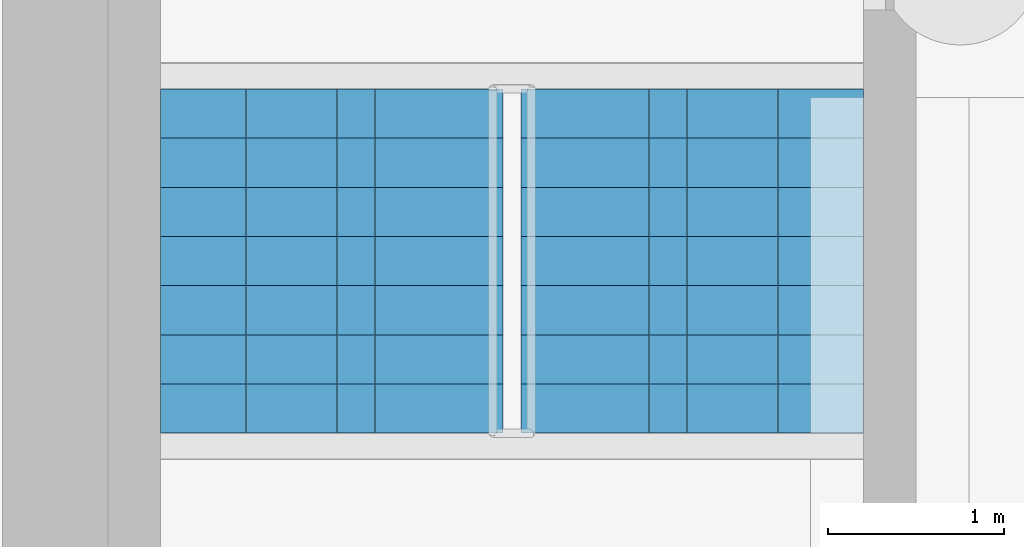
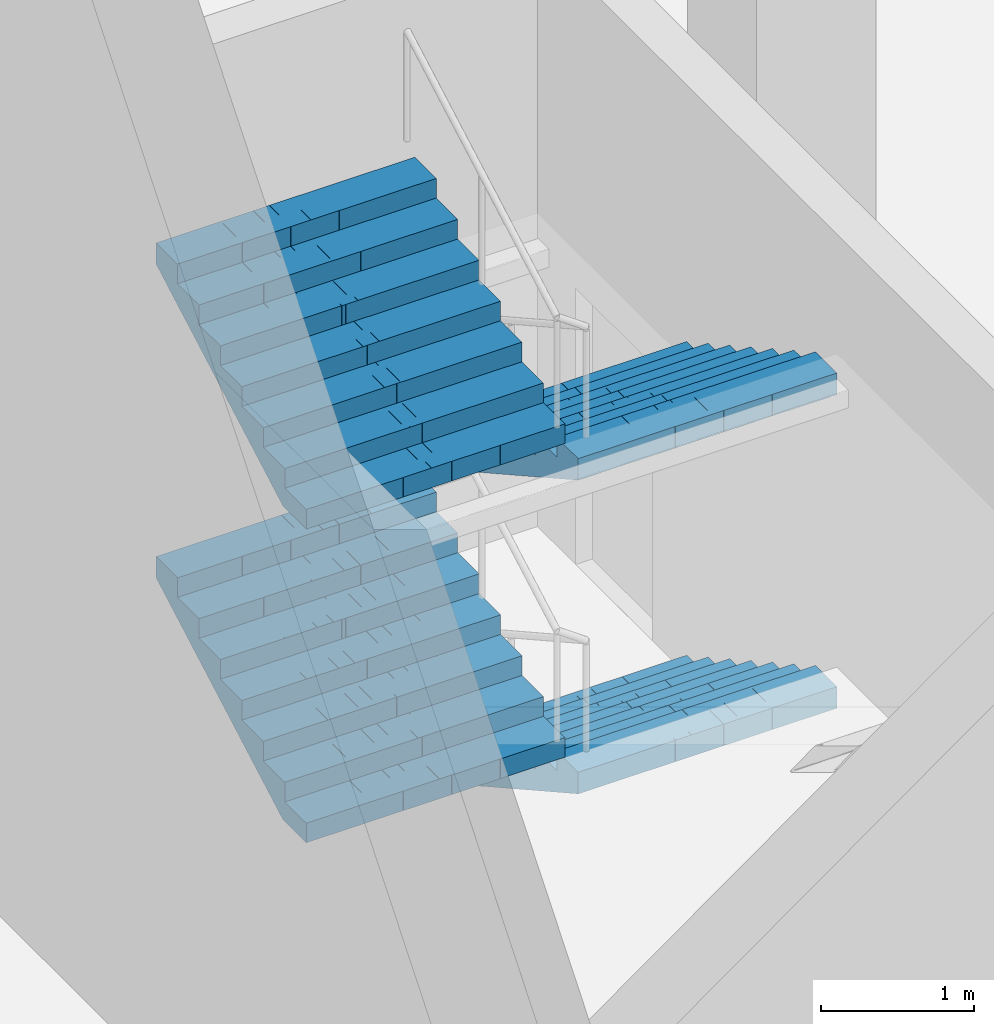
# One storey, part 20 of 31: 4 stair flights, 1 element without a shape of its own.
"""IFC4 building model written with IfcOpenShell, lengths in metres."""

from ifc_helpers import new_model, si_unit, direction, frame, origin, place, context, subcontext, project, spatial, polyline, outline, extrude, material, type_object, element, aggregate, save


model = new_model("IFC4")

# Units and contexts
model_context = context("Model", 3, precision=1e-05, world=origin(), true_north=direction((0.0, 1.0)))
body_context = subcontext(model_context, "Body", "Model", "MODEL_VIEW")
ifc_project = project(units=[si_unit("LENGTHUNIT", "METRE"), si_unit("AREAUNIT", "SQUARE_METRE"), si_unit("VOLUMEUNIT", "CUBIC_METRE"), si_unit("PLANEANGLEUNIT", "RADIAN"), si_unit("MASSUNIT", "GRAM", prefix="KILO")], contexts=[model_context])

# Site, building, storey
site_placement = place(None, origin())
site = spatial("IfcSite", under=ifc_project, at=site_placement, CompositionType="ELEMENT")
building_placement = place(site_placement, origin())
building = spatial("IfcBuilding", under=site, at=building_placement, Name="Mizan Broadcast Tower", CompositionType="ELEMENT")
storey_placement = place(building_placement, frame((0.0, 0.0, -10.0)))
storey = spatial("IfcBuildingStorey", under=building, at=storey_placement, Name="B2", CompositionType="ELEMENT", Elevation=-10.0)

# Stair, stair flights
ifc_material_1 = material(Name="Concrete C40/50", Category="concrete")
stair_type = type_object("IfcStairType", Name="EXIT STAIR", PredefinedType="HALF_TURN_STAIR", material=ifc_material_1)
stair_placement = place(storey_placement, origin())
stair = element("IfcStair", 1, at=stair_placement, inside=storey, type_object=stair_type, Name="Stair F B2", PredefinedType="HALF_TURN_STAIR")
ifc_material_2 = material(Name="Concrete C40/50", Category="concrete")
stair_flight_type = type_object("IfcStairFlightType", Name="EXIT STAIR FLIGHT", PredefinedType="STRAIGHT", material=ifc_material_2)
stair_flight_1_placement = place(storey_placement, frame((-44.875, 39.949951171875, 0.0), z_axis=(0.0, 0.0, 1.0), x_axis=(0.0, -1.0, 0.0)))
stair_flight_1 = element("IfcStairFlight", 2, at=stair_flight_1_placement, type_object=stair_flight_type, Name="F flight 1", NumberOfRisers=8, NumberOfTreads=7, PredefinedType="STRAIGHT", RiserHeight=0.15625, TreadLength=0.28, context=body_context, shape_type="SweptSolid", body=[
    extrude(outline(polyline([(0.0, 0.0), (0.0, 0.15625), (0.280029296875, 0.15625), (0.280029296875, 0.3125), (0.56005859375, 0.3125), (0.56005859375, 0.46875), (0.840087890625, 0.46875), (0.840087890625, 0.625), (1.1201171875, 0.625), (1.1201171875, 0.78125), (1.39990234375, 0.78125), (1.39990234375, 0.9375), (1.679931640625, 0.9375), (1.679931640625, 1.09375), (1.9599609375, 1.09375), (1.9599609375, 1.25), (1.9599609375, 0.922119140625), (0.3076171875, 0.0), (0.0, 0.0)])), frame((0.0, 0.97509765625, 0.0), z_axis=(0.0, -1.0, 0.0), x_axis=(1.0, 0.0, 0.0)), (0.0, 0.0, 1.0), 0.4873046875),
    extrude(outline(polyline([(0.0, 0.0), (0.0, 0.15625), (0.280029296875, 0.15625), (0.280029296875, 0.3125), (0.56005859375, 0.3125), (0.56005859375, 0.46875), (0.840087890625, 0.46875), (0.840087890625, 0.625), (1.1201171875, 0.625), (1.1201171875, 0.78125), (1.39990234375, 0.78125), (1.39990234375, 0.9375), (1.679931640625, 0.9375), (1.679931640625, 1.09375), (1.9599609375, 1.09375), (1.9599609375, 1.25), (1.9599609375, 0.922119140625), (0.3076171875, 0.0), (0.0, 0.0)])), frame((0.0, 0.4873046875, 0.0), z_axis=(0.0, -1.0, 0.0), x_axis=(1.0, 0.0, 0.0)), (0.0, 0.0, 1.0), 0.2431640625),
    extrude(outline(polyline([(0.0, 0.0), (0.0, 0.15625), (0.280029296875, 0.15625), (0.280029296875, 0.3125), (0.56005859375, 0.3125), (0.56005859375, 0.46875), (0.840087890625, 0.46875), (0.840087890625, 0.625), (1.1201171875, 0.625), (1.1201171875, 0.78125), (1.39990234375, 0.78125), (1.39990234375, 0.9375), (1.679931640625, 0.9375), (1.679931640625, 1.09375), (1.9599609375, 1.09375), (1.9599609375, 1.25), (1.9599609375, 0.922119140625), (0.3076171875, 0.0), (0.0, 0.0)])), frame((0.0, 0.24365234375, 0.0), z_axis=(0.0, -1.0, 0.0), x_axis=(1.0, 0.0, 0.0)), (0.0, 0.0, 1.0), 0.121337890625),
    extrude(outline(polyline([(0.0, 0.0), (0.0, 0.15625), (0.280029296875, 0.15625), (0.280029296875, 0.3125), (0.56005859375, 0.3125), (0.56005859375, 0.46875), (0.840087890625, 0.46875), (0.840087890625, 0.625), (1.1201171875, 0.625), (1.1201171875, 0.78125), (1.39990234375, 0.78125), (1.39990234375, 0.9375), (1.679931640625, 0.9375), (1.679931640625, 1.09375), (1.9599609375, 1.09375), (1.9599609375, 1.25), (1.9599609375, 0.922119140625), (0.3076171875, 0.0), (0.0, 0.0)])), frame((0.0, 0.121826171875, 0.0), z_axis=(0.0, -1.0, 0.0), x_axis=(1.0, 0.0, 0.0)), (0.0, 0.0, 1.0), 0.060546875),
    extrude(outline(polyline([(0.0, 0.0), (0.0, 0.15625), (0.280029296875, 0.15625), (0.280029296875, 0.3125), (0.56005859375, 0.3125), (0.56005859375, 0.46875), (0.840087890625, 0.46875), (0.840087890625, 0.625), (1.1201171875, 0.625), (1.1201171875, 0.78125), (1.39990234375, 0.78125), (1.39990234375, 0.9375), (1.679931640625, 0.9375), (1.679931640625, 1.09375), (1.9599609375, 1.09375), (1.9599609375, 1.25), (1.9599609375, 0.922119140625), (0.3076171875, 0.0), (0.0, 0.0)])), frame((0.0, 0.060791015625, 0.0), z_axis=(0.0, -1.0, 0.0), x_axis=(1.0, 0.0, 0.0)), (0.0, 0.0, 1.0), 0.030029296875),
    extrude(outline(polyline([(0.0, 0.0), (0.0, 0.15625), (0.280029296875, 0.15625), (0.280029296875, 0.3125), (0.56005859375, 0.3125), (0.56005859375, 0.46875), (0.840087890625, 0.46875), (0.840087890625, 0.625), (1.1201171875, 0.625), (1.1201171875, 0.78125), (1.39990234375, 0.78125), (1.39990234375, 0.9375), (1.679931640625, 0.9375), (1.679931640625, 1.09375), (1.9599609375, 1.09375), (1.9599609375, 1.25), (1.9599609375, 0.922119140625), (0.3076171875, 0.0), (0.0, 0.0)])), frame((0.0, 0.0302734375, 0.0), z_axis=(0.0, -1.0, 0.0), x_axis=(1.0, 0.0, 0.0)), (0.0, 0.0, 1.0), 0.060302734375),
    extrude(outline(polyline([(0.0, 0.0), (0.0, 0.15625), (0.280029296875, 0.15625), (0.280029296875, 0.3125), (0.56005859375, 0.3125), (0.56005859375, 0.46875), (0.840087890625, 0.46875), (0.840087890625, 0.625), (1.1201171875, 0.625), (1.1201171875, 0.78125), (1.39990234375, 0.78125), (1.39990234375, 0.9375), (1.679931640625, 0.9375), (1.679931640625, 1.09375), (1.9599609375, 1.09375), (1.9599609375, 1.25), (1.9599609375, 0.922119140625), (0.3076171875, 0.0), (0.0, 0.0)])), frame((0.0, -0.030517578125, 0.0), z_axis=(0.0, -1.0, 0.0), x_axis=(1.0, 0.0, 0.0)), (0.0, 0.0, 1.0), 0.030029296875),
    extrude(outline(polyline([(0.0, 0.0), (0.0, 0.15625), (0.280029296875, 0.15625), (0.280029296875, 0.3125), (0.56005859375, 0.3125), (0.56005859375, 0.46875), (0.840087890625, 0.46875), (0.840087890625, 0.625), (1.1201171875, 0.625), (1.1201171875, 0.78125), (1.39990234375, 0.78125), (1.39990234375, 0.9375), (1.679931640625, 0.9375), (1.679931640625, 1.09375), (1.9599609375, 1.09375), (1.9599609375, 1.25), (1.9599609375, 0.922119140625), (0.3076171875, 0.0), (0.0, 0.0)])), frame((0.0, -0.06103515625, 0.0), z_axis=(0.0, -1.0, 0.0), x_axis=(1.0, 0.0, 0.0)), (0.0, 0.0, 1.0), 0.060546875),
    extrude(outline(polyline([(0.0, 0.0), (0.0, 0.15625), (0.280029296875, 0.15625), (0.280029296875, 0.3125), (0.56005859375, 0.3125), (0.56005859375, 0.46875), (0.840087890625, 0.46875), (0.840087890625, 0.625), (1.1201171875, 0.625), (1.1201171875, 0.78125), (1.39990234375, 0.78125), (1.39990234375, 0.9375), (1.679931640625, 0.9375), (1.679931640625, 1.09375), (1.9599609375, 1.09375), (1.9599609375, 1.25), (1.9599609375, 0.922119140625), (0.3076171875, 0.0), (0.0, 0.0)])), frame((0.0, -0.1220703125, 0.0), z_axis=(0.0, -1.0, 0.0), x_axis=(1.0, 0.0, 0.0)), (0.0, 0.0, 1.0), 0.121337890625),
    extrude(outline(polyline([(0.0, 0.0), (0.0, 0.15625), (0.280029296875, 0.15625), (0.280029296875, 0.3125), (0.56005859375, 0.3125), (0.56005859375, 0.46875), (0.840087890625, 0.46875), (0.840087890625, 0.625), (1.1201171875, 0.625), (1.1201171875, 0.78125), (1.39990234375, 0.78125), (1.39990234375, 0.9375), (1.679931640625, 0.9375), (1.679931640625, 1.09375), (1.9599609375, 1.09375), (1.9599609375, 1.25), (1.9599609375, 0.922119140625), (0.3076171875, 0.0), (0.0, 0.0)])), frame((0.0, -0.243896484375, 0.0), z_axis=(0.0, -1.0, 0.0), x_axis=(1.0, 0.0, 0.0)), (0.0, 0.0, 1.0), 0.2431640625),
    extrude(outline(polyline([(0.0, 0.0), (0.0, 0.15625), (0.280029296875, 0.15625), (0.280029296875, 0.3125), (0.56005859375, 0.3125), (0.56005859375, 0.46875), (0.840087890625, 0.46875), (0.840087890625, 0.625), (1.1201171875, 0.625), (1.1201171875, 0.78125), (1.39990234375, 0.78125), (1.39990234375, 0.9375), (1.679931640625, 0.9375), (1.679931640625, 1.09375), (1.9599609375, 1.09375), (1.9599609375, 1.25), (1.9599609375, 0.922119140625), (0.3076171875, 0.0), (0.0, 0.0)])), frame((0.0, -0.487548828125, 0.0), z_axis=(0.0, -1.0, 0.0), x_axis=(1.0, 0.0, 0.0)), (0.0, 0.0, 1.0), 0.4873046875),
])
stair_flight_2_placement = place(storey_placement, frame((-46.925048828125, 37.989990234375, 1.25), z_axis=(0.0, 0.0, 1.0), x_axis=(0.0, 1.0, 0.0)))
stair_flight_2 = element("IfcStairFlight", 3, at=stair_flight_2_placement, type_object=stair_flight_type, Name="F flight 2", NumberOfRisers=8, NumberOfTreads=7, PredefinedType="STRAIGHT", RiserHeight=0.15625, TreadLength=0.28, context=body_context, shape_type="SweptSolid", body=[
    extrude(outline(polyline([(0.0, 0.0), (0.0, 0.15625), (0.280029296875, 0.15625), (0.280029296875, 0.3125), (0.56005859375, 0.3125), (0.56005859375, 0.46875), (0.840087890625, 0.46875), (0.840087890625, 0.625), (1.1201171875, 0.625), (1.1201171875, 0.78125), (1.39990234375, 0.78125), (1.39990234375, 0.9375), (1.679931640625, 0.9375), (1.679931640625, 1.09375), (1.9599609375, 1.09375), (1.9599609375, 1.25), (1.9599609375, 0.922119140625), (0.3076171875, 0.0), (0.0, 0.0)])), frame((0.0, 0.97509765625, 0.0), z_axis=(0.0, -1.0, 0.0), x_axis=(1.0, 0.0, 0.0)), (0.0, 0.0, 1.0), 0.4873046875),
    extrude(outline(polyline([(0.0, 0.0), (0.0, 0.15625), (0.280029296875, 0.15625), (0.280029296875, 0.3125), (0.56005859375, 0.3125), (0.56005859375, 0.46875), (0.840087890625, 0.46875), (0.840087890625, 0.625), (1.1201171875, 0.625), (1.1201171875, 0.78125), (1.39990234375, 0.78125), (1.39990234375, 0.9375), (1.679931640625, 0.9375), (1.679931640625, 1.09375), (1.9599609375, 1.09375), (1.9599609375, 1.25), (1.9599609375, 0.922119140625), (0.3076171875, 0.0), (0.0, 0.0)])), frame((0.0, 0.4873046875, 0.0), z_axis=(0.0, -1.0, 0.0), x_axis=(1.0, 0.0, 0.0)), (0.0, 0.0, 1.0), 0.2431640625),
    extrude(outline(polyline([(0.0, 0.0), (0.0, 0.15625), (0.280029296875, 0.15625), (0.280029296875, 0.3125), (0.56005859375, 0.3125), (0.56005859375, 0.46875), (0.840087890625, 0.46875), (0.840087890625, 0.625), (1.1201171875, 0.625), (1.1201171875, 0.78125), (1.39990234375, 0.78125), (1.39990234375, 0.9375), (1.679931640625, 0.9375), (1.679931640625, 1.09375), (1.9599609375, 1.09375), (1.9599609375, 1.25), (1.9599609375, 0.922119140625), (0.3076171875, 0.0), (0.0, 0.0)])), frame((0.0, 0.24365234375, 0.0), z_axis=(0.0, -1.0, 0.0), x_axis=(1.0, 0.0, 0.0)), (0.0, 0.0, 1.0), 0.121337890625),
    extrude(outline(polyline([(0.0, 0.0), (0.0, 0.15625), (0.280029296875, 0.15625), (0.280029296875, 0.3125), (0.56005859375, 0.3125), (0.56005859375, 0.46875), (0.840087890625, 0.46875), (0.840087890625, 0.625), (1.1201171875, 0.625), (1.1201171875, 0.78125), (1.39990234375, 0.78125), (1.39990234375, 0.9375), (1.679931640625, 0.9375), (1.679931640625, 1.09375), (1.9599609375, 1.09375), (1.9599609375, 1.25), (1.9599609375, 0.922119140625), (0.3076171875, 0.0), (0.0, 0.0)])), frame((0.0, 0.121826171875, 0.0), z_axis=(0.0, -1.0, 0.0), x_axis=(1.0, 0.0, 0.0)), (0.0, 0.0, 1.0), 0.060546875),
    extrude(outline(polyline([(0.0, 0.0), (0.0, 0.15625), (0.280029296875, 0.15625), (0.280029296875, 0.3125), (0.56005859375, 0.3125), (0.56005859375, 0.46875), (0.840087890625, 0.46875), (0.840087890625, 0.625), (1.1201171875, 0.625), (1.1201171875, 0.78125), (1.39990234375, 0.78125), (1.39990234375, 0.9375), (1.679931640625, 0.9375), (1.679931640625, 1.09375), (1.9599609375, 1.09375), (1.9599609375, 1.25), (1.9599609375, 0.922119140625), (0.3076171875, 0.0), (0.0, 0.0)])), frame((0.0, 0.060791015625, 0.0), z_axis=(0.0, -1.0, 0.0), x_axis=(1.0, 0.0, 0.0)), (0.0, 0.0, 1.0), 0.030029296875),
    extrude(outline(polyline([(0.0, 0.0), (0.0, 0.15625), (0.280029296875, 0.15625), (0.280029296875, 0.3125), (0.56005859375, 0.3125), (0.56005859375, 0.46875), (0.840087890625, 0.46875), (0.840087890625, 0.625), (1.1201171875, 0.625), (1.1201171875, 0.78125), (1.39990234375, 0.78125), (1.39990234375, 0.9375), (1.679931640625, 0.9375), (1.679931640625, 1.09375), (1.9599609375, 1.09375), (1.9599609375, 1.25), (1.9599609375, 0.922119140625), (0.3076171875, 0.0), (0.0, 0.0)])), frame((0.0, 0.0302734375, 0.0), z_axis=(0.0, -1.0, 0.0), x_axis=(1.0, 0.0, 0.0)), (0.0, 0.0, 1.0), 0.060302734375),
    extrude(outline(polyline([(0.0, 0.0), (0.0, 0.15625), (0.280029296875, 0.15625), (0.280029296875, 0.3125), (0.56005859375, 0.3125), (0.56005859375, 0.46875), (0.840087890625, 0.46875), (0.840087890625, 0.625), (1.1201171875, 0.625), (1.1201171875, 0.78125), (1.39990234375, 0.78125), (1.39990234375, 0.9375), (1.679931640625, 0.9375), (1.679931640625, 1.09375), (1.9599609375, 1.09375), (1.9599609375, 1.25), (1.9599609375, 0.922119140625), (0.3076171875, 0.0), (0.0, 0.0)])), frame((0.0, -0.030517578125, 0.0), z_axis=(0.0, -1.0, 0.0), x_axis=(1.0, 0.0, 0.0)), (0.0, 0.0, 1.0), 0.030029296875),
    extrude(outline(polyline([(0.0, 0.0), (0.0, 0.15625), (0.280029296875, 0.15625), (0.280029296875, 0.3125), (0.56005859375, 0.3125), (0.56005859375, 0.46875), (0.840087890625, 0.46875), (0.840087890625, 0.625), (1.1201171875, 0.625), (1.1201171875, 0.78125), (1.39990234375, 0.78125), (1.39990234375, 0.9375), (1.679931640625, 0.9375), (1.679931640625, 1.09375), (1.9599609375, 1.09375), (1.9599609375, 1.25), (1.9599609375, 0.922119140625), (0.3076171875, 0.0), (0.0, 0.0)])), frame((0.0, -0.06103515625, 0.0), z_axis=(0.0, -1.0, 0.0), x_axis=(1.0, 0.0, 0.0)), (0.0, 0.0, 1.0), 0.060546875),
    extrude(outline(polyline([(0.0, 0.0), (0.0, 0.15625), (0.280029296875, 0.15625), (0.280029296875, 0.3125), (0.56005859375, 0.3125), (0.56005859375, 0.46875), (0.840087890625, 0.46875), (0.840087890625, 0.625), (1.1201171875, 0.625), (1.1201171875, 0.78125), (1.39990234375, 0.78125), (1.39990234375, 0.9375), (1.679931640625, 0.9375), (1.679931640625, 1.09375), (1.9599609375, 1.09375), (1.9599609375, 1.25), (1.9599609375, 0.922119140625), (0.3076171875, 0.0), (0.0, 0.0)])), frame((0.0, -0.1220703125, 0.0), z_axis=(0.0, -1.0, 0.0), x_axis=(1.0, 0.0, 0.0)), (0.0, 0.0, 1.0), 0.121337890625),
    extrude(outline(polyline([(0.0, 0.0), (0.0, 0.15625), (0.280029296875, 0.15625), (0.280029296875, 0.3125), (0.56005859375, 0.3125), (0.56005859375, 0.46875), (0.840087890625, 0.46875), (0.840087890625, 0.625), (1.1201171875, 0.625), (1.1201171875, 0.78125), (1.39990234375, 0.78125), (1.39990234375, 0.9375), (1.679931640625, 0.9375), (1.679931640625, 1.09375), (1.9599609375, 1.09375), (1.9599609375, 1.25), (1.9599609375, 0.922119140625), (0.3076171875, 0.0), (0.0, 0.0)])), frame((0.0, -0.243896484375, 0.0), z_axis=(0.0, -1.0, 0.0), x_axis=(1.0, 0.0, 0.0)), (0.0, 0.0, 1.0), 0.2431640625),
    extrude(outline(polyline([(0.0, 0.0), (0.0, 0.15625), (0.280029296875, 0.15625), (0.280029296875, 0.3125), (0.56005859375, 0.3125), (0.56005859375, 0.46875), (0.840087890625, 0.46875), (0.840087890625, 0.625), (1.1201171875, 0.625), (1.1201171875, 0.78125), (1.39990234375, 0.78125), (1.39990234375, 0.9375), (1.679931640625, 0.9375), (1.679931640625, 1.09375), (1.9599609375, 1.09375), (1.9599609375, 1.25), (1.9599609375, 0.922119140625), (0.3076171875, 0.0), (0.0, 0.0)])), frame((0.0, -0.487548828125, 0.0), z_axis=(0.0, -1.0, 0.0), x_axis=(1.0, 0.0, 0.0)), (0.0, 0.0, 1.0), 0.4873046875),
])
stair_flight_3_placement = place(storey_placement, frame((-44.875, 39.949951171875, 2.5), z_axis=(0.0, 0.0, 1.0), x_axis=(0.0, -1.0, 0.0)))
stair_flight_3 = element("IfcStairFlight", 4, at=stair_flight_3_placement, type_object=stair_flight_type, Name="F flight 3", NumberOfRisers=8, NumberOfTreads=7, PredefinedType="STRAIGHT", RiserHeight=0.15625, TreadLength=0.28, context=body_context, shape_type="SweptSolid", body=[
    extrude(outline(polyline([(0.0, 0.0), (0.0, 0.15625), (0.280029296875, 0.15625), (0.280029296875, 0.3125), (0.56005859375, 0.3125), (0.56005859375, 0.46875), (0.840087890625, 0.46875), (0.840087890625, 0.625), (1.1201171875, 0.625), (1.1201171875, 0.78125), (1.39990234375, 0.78125), (1.39990234375, 0.9375), (1.679931640625, 0.9375), (1.679931640625, 1.09375), (1.9599609375, 1.09375), (1.9599609375, 1.25), (1.9599609375, 0.922119140625), (0.3076171875, 0.0), (0.0, 0.0)])), frame((0.0, 0.97509765625, 0.0), z_axis=(0.0, -1.0, 0.0), x_axis=(1.0, 0.0, 0.0)), (0.0, 0.0, 1.0), 0.4873046875),
    extrude(outline(polyline([(0.0, 0.0), (0.0, 0.15625), (0.280029296875, 0.15625), (0.280029296875, 0.3125), (0.56005859375, 0.3125), (0.56005859375, 0.46875), (0.840087890625, 0.46875), (0.840087890625, 0.625), (1.1201171875, 0.625), (1.1201171875, 0.78125), (1.39990234375, 0.78125), (1.39990234375, 0.9375), (1.679931640625, 0.9375), (1.679931640625, 1.09375), (1.9599609375, 1.09375), (1.9599609375, 1.25), (1.9599609375, 0.922119140625), (0.3076171875, 0.0), (0.0, 0.0)])), frame((0.0, 0.4873046875, 0.0), z_axis=(0.0, -1.0, 0.0), x_axis=(1.0, 0.0, 0.0)), (0.0, 0.0, 1.0), 0.2431640625),
    extrude(outline(polyline([(0.0, 0.0), (0.0, 0.15625), (0.280029296875, 0.15625), (0.280029296875, 0.3125), (0.56005859375, 0.3125), (0.56005859375, 0.46875), (0.840087890625, 0.46875), (0.840087890625, 0.625), (1.1201171875, 0.625), (1.1201171875, 0.78125), (1.39990234375, 0.78125), (1.39990234375, 0.9375), (1.679931640625, 0.9375), (1.679931640625, 1.09375), (1.9599609375, 1.09375), (1.9599609375, 1.25), (1.9599609375, 0.922119140625), (0.3076171875, 0.0), (0.0, 0.0)])), frame((0.0, 0.24365234375, 0.0), z_axis=(0.0, -1.0, 0.0), x_axis=(1.0, 0.0, 0.0)), (0.0, 0.0, 1.0), 0.121337890625),
    extrude(outline(polyline([(0.0, 0.0), (0.0, 0.15625), (0.280029296875, 0.15625), (0.280029296875, 0.3125), (0.56005859375, 0.3125), (0.56005859375, 0.46875), (0.840087890625, 0.46875), (0.840087890625, 0.625), (1.1201171875, 0.625), (1.1201171875, 0.78125), (1.39990234375, 0.78125), (1.39990234375, 0.9375), (1.679931640625, 0.9375), (1.679931640625, 1.09375), (1.9599609375, 1.09375), (1.9599609375, 1.25), (1.9599609375, 0.922119140625), (0.3076171875, 0.0), (0.0, 0.0)])), frame((0.0, 0.121826171875, 0.0), z_axis=(0.0, -1.0, 0.0), x_axis=(1.0, 0.0, 0.0)), (0.0, 0.0, 1.0), 0.060546875),
    extrude(outline(polyline([(0.0, 0.0), (0.0, 0.15625), (0.280029296875, 0.15625), (0.280029296875, 0.3125), (0.56005859375, 0.3125), (0.56005859375, 0.46875), (0.840087890625, 0.46875), (0.840087890625, 0.625), (1.1201171875, 0.625), (1.1201171875, 0.78125), (1.39990234375, 0.78125), (1.39990234375, 0.9375), (1.679931640625, 0.9375), (1.679931640625, 1.09375), (1.9599609375, 1.09375), (1.9599609375, 1.25), (1.9599609375, 0.922119140625), (0.3076171875, 0.0), (0.0, 0.0)])), frame((0.0, 0.060791015625, 0.0), z_axis=(0.0, -1.0, 0.0), x_axis=(1.0, 0.0, 0.0)), (0.0, 0.0, 1.0), 0.030029296875),
    extrude(outline(polyline([(0.0, 0.0), (0.0, 0.15625), (0.280029296875, 0.15625), (0.280029296875, 0.3125), (0.56005859375, 0.3125), (0.56005859375, 0.46875), (0.840087890625, 0.46875), (0.840087890625, 0.625), (1.1201171875, 0.625), (1.1201171875, 0.78125), (1.39990234375, 0.78125), (1.39990234375, 0.9375), (1.679931640625, 0.9375), (1.679931640625, 1.09375), (1.9599609375, 1.09375), (1.9599609375, 1.25), (1.9599609375, 0.922119140625), (0.3076171875, 0.0), (0.0, 0.0)])), frame((0.0, 0.0302734375, 0.0), z_axis=(0.0, -1.0, 0.0), x_axis=(1.0, 0.0, 0.0)), (0.0, 0.0, 1.0), 0.060302734375),
    extrude(outline(polyline([(0.0, 0.0), (0.0, 0.15625), (0.280029296875, 0.15625), (0.280029296875, 0.3125), (0.56005859375, 0.3125), (0.56005859375, 0.46875), (0.840087890625, 0.46875), (0.840087890625, 0.625), (1.1201171875, 0.625), (1.1201171875, 0.78125), (1.39990234375, 0.78125), (1.39990234375, 0.9375), (1.679931640625, 0.9375), (1.679931640625, 1.09375), (1.9599609375, 1.09375), (1.9599609375, 1.25), (1.9599609375, 0.922119140625), (0.3076171875, 0.0), (0.0, 0.0)])), frame((0.0, -0.030517578125, 0.0), z_axis=(0.0, -1.0, 0.0), x_axis=(1.0, 0.0, 0.0)), (0.0, 0.0, 1.0), 0.030029296875),
    extrude(outline(polyline([(0.0, 0.0), (0.0, 0.15625), (0.280029296875, 0.15625), (0.280029296875, 0.3125), (0.56005859375, 0.3125), (0.56005859375, 0.46875), (0.840087890625, 0.46875), (0.840087890625, 0.625), (1.1201171875, 0.625), (1.1201171875, 0.78125), (1.39990234375, 0.78125), (1.39990234375, 0.9375), (1.679931640625, 0.9375), (1.679931640625, 1.09375), (1.9599609375, 1.09375), (1.9599609375, 1.25), (1.9599609375, 0.922119140625), (0.3076171875, 0.0), (0.0, 0.0)])), frame((0.0, -0.06103515625, 0.0), z_axis=(0.0, -1.0, 0.0), x_axis=(1.0, 0.0, 0.0)), (0.0, 0.0, 1.0), 0.060546875),
    extrude(outline(polyline([(0.0, 0.0), (0.0, 0.15625), (0.280029296875, 0.15625), (0.280029296875, 0.3125), (0.56005859375, 0.3125), (0.56005859375, 0.46875), (0.840087890625, 0.46875), (0.840087890625, 0.625), (1.1201171875, 0.625), (1.1201171875, 0.78125), (1.39990234375, 0.78125), (1.39990234375, 0.9375), (1.679931640625, 0.9375), (1.679931640625, 1.09375), (1.9599609375, 1.09375), (1.9599609375, 1.25), (1.9599609375, 0.922119140625), (0.3076171875, 0.0), (0.0, 0.0)])), frame((0.0, -0.1220703125, 0.0), z_axis=(0.0, -1.0, 0.0), x_axis=(1.0, 0.0, 0.0)), (0.0, 0.0, 1.0), 0.121337890625),
    extrude(outline(polyline([(0.0, 0.0), (0.0, 0.15625), (0.280029296875, 0.15625), (0.280029296875, 0.3125), (0.56005859375, 0.3125), (0.56005859375, 0.46875), (0.840087890625, 0.46875), (0.840087890625, 0.625), (1.1201171875, 0.625), (1.1201171875, 0.78125), (1.39990234375, 0.78125), (1.39990234375, 0.9375), (1.679931640625, 0.9375), (1.679931640625, 1.09375), (1.9599609375, 1.09375), (1.9599609375, 1.25), (1.9599609375, 0.922119140625), (0.3076171875, 0.0), (0.0, 0.0)])), frame((0.0, -0.243896484375, 0.0), z_axis=(0.0, -1.0, 0.0), x_axis=(1.0, 0.0, 0.0)), (0.0, 0.0, 1.0), 0.2431640625),
    extrude(outline(polyline([(0.0, 0.0), (0.0, 0.15625), (0.280029296875, 0.15625), (0.280029296875, 0.3125), (0.56005859375, 0.3125), (0.56005859375, 0.46875), (0.840087890625, 0.46875), (0.840087890625, 0.625), (1.1201171875, 0.625), (1.1201171875, 0.78125), (1.39990234375, 0.78125), (1.39990234375, 0.9375), (1.679931640625, 0.9375), (1.679931640625, 1.09375), (1.9599609375, 1.09375), (1.9599609375, 1.25), (1.9599609375, 0.922119140625), (0.3076171875, 0.0), (0.0, 0.0)])), frame((0.0, -0.487548828125, 0.0), z_axis=(0.0, -1.0, 0.0), x_axis=(1.0, 0.0, 0.0)), (0.0, 0.0, 1.0), 0.4873046875),
])
stair_flight_4_placement = place(storey_placement, frame((-46.925048828125, 37.989990234375, 3.75), z_axis=(0.0, 0.0, 1.0), x_axis=(0.0, 1.0, 0.0)))
stair_flight_4 = element("IfcStairFlight", 5, at=stair_flight_4_placement, type_object=stair_flight_type, Name="F flight 4", NumberOfRisers=8, NumberOfTreads=7, PredefinedType="STRAIGHT", RiserHeight=0.15625, TreadLength=0.28, context=body_context, shape_type="SweptSolid", body=[
    extrude(outline(polyline([(0.0, 0.0), (0.0, 0.15625), (0.280029296875, 0.15625), (0.280029296875, 0.3125), (0.56005859375, 0.3125), (0.56005859375, 0.46875), (0.840087890625, 0.46875), (0.840087890625, 0.625), (1.1201171875, 0.625), (1.1201171875, 0.78125), (1.39990234375, 0.78125), (1.39990234375, 0.9375), (1.679931640625, 0.9375), (1.679931640625, 1.09375), (1.9599609375, 1.09375), (1.9599609375, 1.25), (1.9599609375, 0.922119140625), (0.3076171875, 0.0), (0.0, 0.0)])), frame((0.0, 0.97509765625, 0.0), z_axis=(0.0, -1.0, 0.0), x_axis=(1.0, 0.0, 0.0)), (0.0, 0.0, 1.0), 0.4873046875),
    extrude(outline(polyline([(0.0, 0.0), (0.0, 0.15625), (0.280029296875, 0.15625), (0.280029296875, 0.3125), (0.56005859375, 0.3125), (0.56005859375, 0.46875), (0.840087890625, 0.46875), (0.840087890625, 0.625), (1.1201171875, 0.625), (1.1201171875, 0.78125), (1.39990234375, 0.78125), (1.39990234375, 0.9375), (1.679931640625, 0.9375), (1.679931640625, 1.09375), (1.9599609375, 1.09375), (1.9599609375, 1.25), (1.9599609375, 0.922119140625), (0.3076171875, 0.0), (0.0, 0.0)])), frame((0.0, 0.4873046875, 0.0), z_axis=(0.0, -1.0, 0.0), x_axis=(1.0, 0.0, 0.0)), (0.0, 0.0, 1.0), 0.2431640625),
    extrude(outline(polyline([(0.0, 0.0), (0.0, 0.15625), (0.280029296875, 0.15625), (0.280029296875, 0.3125), (0.56005859375, 0.3125), (0.56005859375, 0.46875), (0.840087890625, 0.46875), (0.840087890625, 0.625), (1.1201171875, 0.625), (1.1201171875, 0.78125), (1.39990234375, 0.78125), (1.39990234375, 0.9375), (1.679931640625, 0.9375), (1.679931640625, 1.09375), (1.9599609375, 1.09375), (1.9599609375, 1.25), (1.9599609375, 0.922119140625), (0.3076171875, 0.0), (0.0, 0.0)])), frame((0.0, 0.24365234375, 0.0), z_axis=(0.0, -1.0, 0.0), x_axis=(1.0, 0.0, 0.0)), (0.0, 0.0, 1.0), 0.121337890625),
    extrude(outline(polyline([(0.0, 0.0), (0.0, 0.15625), (0.280029296875, 0.15625), (0.280029296875, 0.3125), (0.56005859375, 0.3125), (0.56005859375, 0.46875), (0.840087890625, 0.46875), (0.840087890625, 0.625), (1.1201171875, 0.625), (1.1201171875, 0.78125), (1.39990234375, 0.78125), (1.39990234375, 0.9375), (1.679931640625, 0.9375), (1.679931640625, 1.09375), (1.9599609375, 1.09375), (1.9599609375, 1.25), (1.9599609375, 0.922119140625), (0.3076171875, 0.0), (0.0, 0.0)])), frame((0.0, 0.121826171875, 0.0), z_axis=(0.0, -1.0, 0.0), x_axis=(1.0, 0.0, 0.0)), (0.0, 0.0, 1.0), 0.060546875),
    extrude(outline(polyline([(0.0, 0.0), (0.0, 0.15625), (0.280029296875, 0.15625), (0.280029296875, 0.3125), (0.56005859375, 0.3125), (0.56005859375, 0.46875), (0.840087890625, 0.46875), (0.840087890625, 0.625), (1.1201171875, 0.625), (1.1201171875, 0.78125), (1.39990234375, 0.78125), (1.39990234375, 0.9375), (1.679931640625, 0.9375), (1.679931640625, 1.09375), (1.9599609375, 1.09375), (1.9599609375, 1.25), (1.9599609375, 0.922119140625), (0.3076171875, 0.0), (0.0, 0.0)])), frame((0.0, 0.060791015625, 0.0), z_axis=(0.0, -1.0, 0.0), x_axis=(1.0, 0.0, 0.0)), (0.0, 0.0, 1.0), 0.030029296875),
    extrude(outline(polyline([(0.0, 0.0), (0.0, 0.15625), (0.280029296875, 0.15625), (0.280029296875, 0.3125), (0.56005859375, 0.3125), (0.56005859375, 0.46875), (0.840087890625, 0.46875), (0.840087890625, 0.625), (1.1201171875, 0.625), (1.1201171875, 0.78125), (1.39990234375, 0.78125), (1.39990234375, 0.9375), (1.679931640625, 0.9375), (1.679931640625, 1.09375), (1.9599609375, 1.09375), (1.9599609375, 1.25), (1.9599609375, 0.922119140625), (0.3076171875, 0.0), (0.0, 0.0)])), frame((0.0, 0.0302734375, 0.0), z_axis=(0.0, -1.0, 0.0), x_axis=(1.0, 0.0, 0.0)), (0.0, 0.0, 1.0), 0.060302734375),
    extrude(outline(polyline([(0.0, 0.0), (0.0, 0.15625), (0.280029296875, 0.15625), (0.280029296875, 0.3125), (0.56005859375, 0.3125), (0.56005859375, 0.46875), (0.840087890625, 0.46875), (0.840087890625, 0.625), (1.1201171875, 0.625), (1.1201171875, 0.78125), (1.39990234375, 0.78125), (1.39990234375, 0.9375), (1.679931640625, 0.9375), (1.679931640625, 1.09375), (1.9599609375, 1.09375), (1.9599609375, 1.25), (1.9599609375, 0.922119140625), (0.3076171875, 0.0), (0.0, 0.0)])), frame((0.0, -0.030517578125, 0.0), z_axis=(0.0, -1.0, 0.0), x_axis=(1.0, 0.0, 0.0)), (0.0, 0.0, 1.0), 0.030029296875),
    extrude(outline(polyline([(0.0, 0.0), (0.0, 0.15625), (0.280029296875, 0.15625), (0.280029296875, 0.3125), (0.56005859375, 0.3125), (0.56005859375, 0.46875), (0.840087890625, 0.46875), (0.840087890625, 0.625), (1.1201171875, 0.625), (1.1201171875, 0.78125), (1.39990234375, 0.78125), (1.39990234375, 0.9375), (1.679931640625, 0.9375), (1.679931640625, 1.09375), (1.9599609375, 1.09375), (1.9599609375, 1.25), (1.9599609375, 0.922119140625), (0.3076171875, 0.0), (0.0, 0.0)])), frame((0.0, -0.06103515625, 0.0), z_axis=(0.0, -1.0, 0.0), x_axis=(1.0, 0.0, 0.0)), (0.0, 0.0, 1.0), 0.060546875),
    extrude(outline(polyline([(0.0, 0.0), (0.0, 0.15625), (0.280029296875, 0.15625), (0.280029296875, 0.3125), (0.56005859375, 0.3125), (0.56005859375, 0.46875), (0.840087890625, 0.46875), (0.840087890625, 0.625), (1.1201171875, 0.625), (1.1201171875, 0.78125), (1.39990234375, 0.78125), (1.39990234375, 0.9375), (1.679931640625, 0.9375), (1.679931640625, 1.09375), (1.9599609375, 1.09375), (1.9599609375, 1.25), (1.9599609375, 0.922119140625), (0.3076171875, 0.0), (0.0, 0.0)])), frame((0.0, -0.1220703125, 0.0), z_axis=(0.0, -1.0, 0.0), x_axis=(1.0, 0.0, 0.0)), (0.0, 0.0, 1.0), 0.121337890625),
    extrude(outline(polyline([(0.0, 0.0), (0.0, 0.15625), (0.280029296875, 0.15625), (0.280029296875, 0.3125), (0.56005859375, 0.3125), (0.56005859375, 0.46875), (0.840087890625, 0.46875), (0.840087890625, 0.625), (1.1201171875, 0.625), (1.1201171875, 0.78125), (1.39990234375, 0.78125), (1.39990234375, 0.9375), (1.679931640625, 0.9375), (1.679931640625, 1.09375), (1.9599609375, 1.09375), (1.9599609375, 1.25), (1.9599609375, 0.922119140625), (0.3076171875, 0.0), (0.0, 0.0)])), frame((0.0, -0.243896484375, 0.0), z_axis=(0.0, -1.0, 0.0), x_axis=(1.0, 0.0, 0.0)), (0.0, 0.0, 1.0), 0.2431640625),
    extrude(outline(polyline([(0.0, 0.0), (0.0, 0.15625), (0.280029296875, 0.15625), (0.280029296875, 0.3125), (0.56005859375, 0.3125), (0.56005859375, 0.46875), (0.840087890625, 0.46875), (0.840087890625, 0.625), (1.1201171875, 0.625), (1.1201171875, 0.78125), (1.39990234375, 0.78125), (1.39990234375, 0.9375), (1.679931640625, 0.9375), (1.679931640625, 1.09375), (1.9599609375, 1.09375), (1.9599609375, 1.25), (1.9599609375, 0.922119140625), (0.3076171875, 0.0), (0.0, 0.0)])), frame((0.0, -0.487548828125, 0.0), z_axis=(0.0, -1.0, 0.0), x_axis=(1.0, 0.0, 0.0)), (0.0, 0.0, 1.0), 0.4873046875),
])
aggregate(stair, [stair_flight_1, stair_flight_2, stair_flight_3, stair_flight_4])

save(model, "model.ifc")
